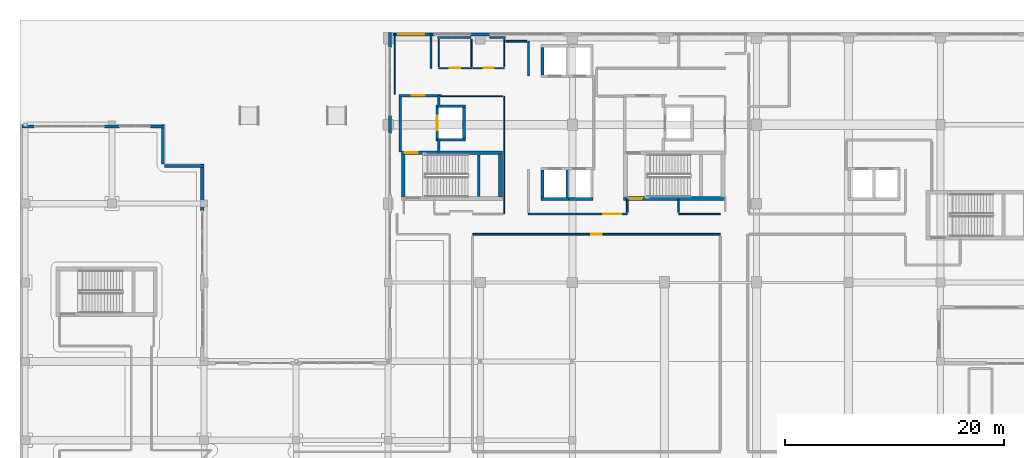
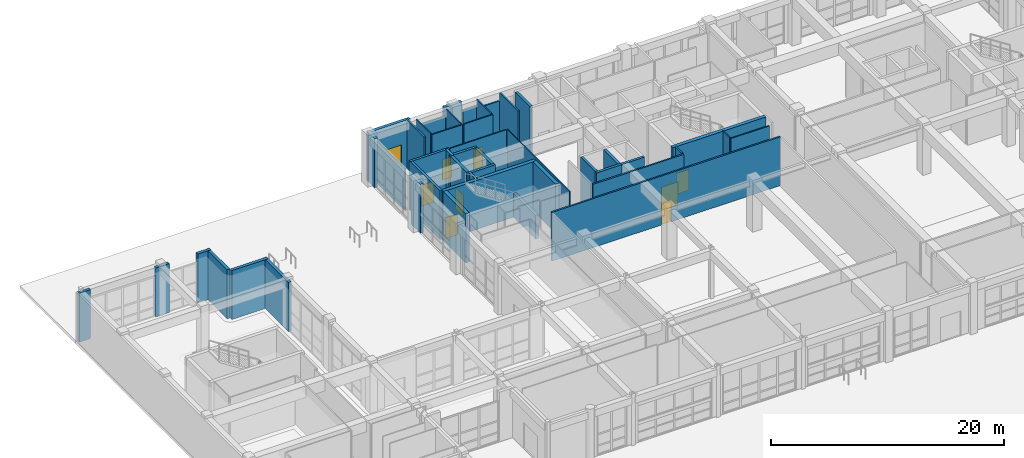
# One storey, part 131 of 148: 46 walls, 9 doors, 9 openings.
"""IFC4 building model written with IfcOpenShell, lengths in metres."""

from ifc_helpers import new_model, si_unit, direction, frame, frame_2d, origin, place, context, subcontext, project, spatial, rectangle, extrude, material, layer, layer_set, type_object, element, fill, save


model = new_model("IFC4")

# Units and contexts
model_context = context("Model", 3, precision=1e-05, world=origin(), true_north=direction((0.0, 1.0)))
body_context = subcontext(model_context, "Body", "Model", "MODEL_VIEW")
ifc_project = project(units=[si_unit("LENGTHUNIT", "METRE"), si_unit("AREAUNIT", "SQUARE_METRE"), si_unit("VOLUMEUNIT", "CUBIC_METRE"), si_unit("PLANEANGLEUNIT", "RADIAN"), si_unit("MASSUNIT", "GRAM", prefix="KILO")], contexts=[model_context])

# Site, building, storey
site_placement = place(None, origin())
site = spatial("IfcSite", under=ifc_project, at=site_placement, CompositionType="ELEMENT")
building_placement = place(site_placement, origin())
building = spatial("IfcBuilding", under=site, at=building_placement, Name="Quendrovan Civic Courthouse", CompositionType="ELEMENT")
storey_placement = place(building_placement, origin())
storey = spatial("IfcBuildingStorey", under=building, at=storey_placement, Name="L01", CompositionType="ELEMENT", Elevation=0.0)

# Wall, opening, door
ifc_material_1 = material(Name="Fire-rated gypsum stud partition")
ifc_layer_1 = layer(ifc_material_1, 0.159912109375, Name="Fire-rated gypsum stud partition")
ifc_layer_set_1 = layer_set([ifc_layer_1], Name="Fire-rated gypsum stud partition")
wall_type_1 = type_object("IfcWallType", Name="WL-COR-160", PredefinedType="PARTITIONING", material=ifc_layer_set_1)
wall_1_placement = place(storey_placement, frame((41.300048828125, 92.0, 0.0), z_axis=(0.0, 0.0, 1.0), x_axis=(1.0, 0.0, 0.0)))
wall_1 = element("IfcWall", 1, at=wall_1_placement, inside=storey, type_object=wall_type_1, Name="L01 Public Cafe Partition 0163", PredefinedType="PARTITIONING", context=body_context, shape_type="SweptSolid", body=[
    extrude(rectangle(XDim=22.599853515625, YDim=0.159912109375, at=frame_2d((11.2998046875, 0.0))), origin(), (0.0, 0.0, 1.0), 5.1201171875),
])
opening_1_placement = place(wall_1_placement, frame((10.820068359375, 0.0, 0.0)))
opening_1 = element("IfcOpeningElement", 2, at=opening_1_placement, cuts=wall_1, Name="Opening D-L01-035", PredefinedType="OPENING", context=body_context, shape_type="SweptSolid", body=[
    extrude(rectangle(XDim=0.9599609375, YDim=2.139892578125, at=frame_2d((0.47998046875, 1.06982421875))), frame((0.0, 0.08984375, 0.0), z_axis=(0.0, -1.0, 0.0), x_axis=(1.0, 0.0, 0.0)), (0.0, 0.0, 1.0), 0.179931640625),
])
ifc_material_2 = material(Name="Moisture-resistant laminate timber door", Category="wood")
door_type_1 = type_object("IfcDoorType", Name="DR-WC-ACC-960", OperationType="NOTDEFINED", PredefinedType="DOOR", material=ifc_material_2)
door_1_placement = place(opening_1_placement, origin())
door_1 = element("IfcDoor", 3, at=door_1_placement, inside=storey, type_object=door_type_1, Name="L01 Public Cafe Door D-L01-035", OperationType="SINGLE_SWING_RIGHT", OverallHeight=2.139892578125, OverallWidth=0.9599609375, PredefinedType="DOOR", context=body_context, shape_type="SweptSolid", body=[
    extrude(rectangle(XDim=0.9599609375, YDim=2.139892578125, at=frame_2d((0.47998046875, 1.06982421875))), frame((0.0, 0.02490234375, 0.0), z_axis=(0.0, -1.0, 0.0), x_axis=(1.0, 0.0, 0.0)), (0.0, 0.0, 1.0), 0.050048828125),
])
fill(opening_1, door_1)

wall_2_placement = place(storey_placement, frame((55.39990234375, 93.85009765625, 0.0), z_axis=(0.0, 0.0, 1.0), x_axis=(-1.0, 0.0, 0.0)))
wall_2 = element("IfcWall", 4, at=wall_2_placement, inside=storey, type_object=wall_type_1, Name="L01 Criminal Case Registry Partition 0198", PredefinedType="PARTITIONING", context=body_context, shape_type="SweptSolid", body=[
    extrude(rectangle(XDim=9.0, YDim=0.159912109375, at=frame_2d((4.5, 0.0))), origin(), (0.0, 0.0, 1.0), 5.1201171875),
])
opening_2_placement = place(wall_2_placement, frame((0.530029296875, 0.0, 0.0)))
opening_2 = element("IfcOpeningElement", 5, at=opening_2_placement, cuts=wall_2, Name="Opening D-L01-038", PredefinedType="OPENING", context=body_context, shape_type="SweptSolid", body=[
    extrude(rectangle(XDim=1.639892578125, YDim=2.419921875, at=frame_2d((0.81982421875, 1.2099609375))), frame((0.0, 0.08984375, 0.0), z_axis=(0.0, -1.0, 0.0), x_axis=(1.0, 0.0, 0.0)), (0.0, 0.0, 1.0), 0.179931640625),
])
ifc_material_3 = material(Name="Bronze-anodised aluminium glazed door", Category="aluminium")
door_type_2 = type_object("IfcDoorType", Name="DR-REG-1640", OperationType="NOTDEFINED", PredefinedType="DOOR", material=ifc_material_3)
door_2_placement = place(opening_2_placement, origin())
door_2 = element("IfcDoor", 6, at=door_2_placement, inside=storey, type_object=door_type_2, Name="L01 Criminal Case Registry Door D-L01-038", OperationType="SINGLE_SWING_LEFT", OverallHeight=2.419921875, OverallWidth=1.639892578125, PredefinedType="DOOR", context=body_context, shape_type="SweptSolid", body=[
    extrude(rectangle(XDim=1.639892578125, YDim=2.419921875, at=frame_2d((0.81982421875, 1.2099609375))), frame((0.0, 0.02490234375, 0.0), z_axis=(0.0, -1.0, 0.0), x_axis=(1.0, 0.0, 0.0)), (0.0, 0.0, 1.0), 0.050048828125),
])
fill(opening_2, door_2)

# Walls
wall_3_placement = place(storey_placement, frame((44.300048828125, 109.949951171875, 0.0), z_axis=(0.0, 0.0, 1.0), x_axis=(-1.0, 0.0, 0.0)))
element("IfcWall", 7, at=wall_3_placement, inside=storey, type_object=wall_type_1, Name="L01 Criminal Case Registry Partition 0211", PredefinedType="PARTITIONING", context=body_context, shape_type="SweptSolid", body=[
    extrude(rectangle(XDim=1.425048828125, YDim=0.159912109375, at=frame_2d((0.71240234375, 0.0))), origin(), (0.0, 0.0, 1.0), 4.360107421875),
])
wall_4_placement = place(storey_placement, frame((41.125, 109.949951171875, 0.0), z_axis=(0.0, 0.0, 1.0), x_axis=(-1.0, 0.0, 0.0)))
element("IfcWall", 8, at=wall_4_placement, inside=storey, type_object=wall_type_1, Name="L01 Criminal Case Registry Partition 0212", PredefinedType="PARTITIONING", context=body_context, shape_type="SweptSolid", body=[
    extrude(rectangle(XDim=3.02490234375, YDim=0.159912109375, at=frame_2d((1.512451171875, 0.0))), origin(), (0.0, 0.0, 1.0), 4.360107421875),
])
wall_5_placement = place(storey_placement, frame((37.5, 107.14990234375, 0.0), z_axis=(0.0, 0.0, 1.0), x_axis=(0.0, 1.0, 0.0)))
element("IfcWall", 9, at=wall_5_placement, inside=storey, type_object=wall_type_1, Name="L01 Criminal Case Registry Partition 0248", PredefinedType="PARTITIONING", context=body_context, shape_type="SweptSolid", body=[
    extrude(rectangle(XDim=3.190185546875, YDim=0.159912109375, at=frame_2d((1.59521484375, 0.0))), origin(), (0.0, 0.0, 1.0), 5.1201171875),
])
wall_6_placement = place(storey_placement, frame((46.39990234375, 106.449951171875, 0.0), z_axis=(0.0, 0.0, 1.0), x_axis=(0.0, 1.0, 0.0)))
element("IfcWall", 10, at=wall_6_placement, inside=storey, type_object=wall_type_1, Name="L01 Criminal Case Registry Partition 0250", PredefinedType="PARTITIONING", context=body_context, shape_type="SweptSolid", body=[
    extrude(rectangle(XDim=3.150146484375, YDim=0.159912109375, at=frame_2d((1.5751953125, 0.0))), origin(), (0.0, 0.0, 1.0), 5.1201171875),
])
wall_7_placement = place(storey_placement, frame((46.239990234375, 109.60009765625, 0.0), z_axis=(0.0, 0.0, 1.0), x_axis=(-1.0, 0.0, 0.0)))
element("IfcWall", 11, at=wall_7_placement, inside=storey, type_object=wall_type_1, Name="L01 Criminal Case Registry Partition 0270", PredefinedType="PARTITIONING", context=body_context, shape_type="SweptSolid", body=[
    extrude(rectangle(XDim=1.905029296875, YDim=0.159912109375, at=frame_2d((0.95263671875, 0.0))), origin(), (0.0, 0.0, 1.0), 4.360107421875),
])
wall_8_placement = place(storey_placement, frame((55.39990234375, 95.179931640625, 0.0), z_axis=(0.0, 0.0, 1.0), x_axis=(0.0, -1.0, 0.0)))
element("IfcWall", 12, at=wall_8_placement, inside=storey, type_object=wall_type_1, Name="L01 Criminal Case Registry Partition 0287", PredefinedType="PARTITIONING", context=body_context, shape_type="SweptSolid", body=[
    extrude(rectangle(XDim=1.169921875, YDim=0.159912109375, at=frame_2d((0.5849609375, 0.0))), origin(), (0.0, 0.0, 1.0), 5.1201171875),
])

# Wall, opening, door
ifc_material_4 = material(Name="Concrete C45/55", Category="concrete")
ifc_layer_2 = layer(ifc_material_4, 0.35009765625, Name="Concrete C45/55")
ifc_layer_set_2 = layer_set([ifc_layer_2], Name="Concrete C45/55")
wall_type_2 = type_object("IfcWallType", Name="WL-CORE-350", PredefinedType="SHEAR", material=ifc_layer_set_2)
wall_9_placement = place(storey_placement, frame((44.010009765625, 99.43505859375, 0.0), z_axis=(0.0, 0.0, 1.0), x_axis=(-1.0, 0.0, 0.0)))
wall_9 = element("IfcWall", 13, at=wall_9_placement, inside=storey, type_object=wall_type_2, Name="L01 Core Shear Wall ST1-N", PredefinedType="SHEAR", context=body_context, shape_type="SweptSolid", body=[
    extrude(rectangle(XDim=9.219970703125, YDim=0.35009765625, at=frame_2d((4.60986328125, 0.0))), origin(), (0.0, 0.0, 1.0), 5.1201171875),
])
opening_3_placement = place(wall_9_placement, frame((7.719970703125, 0.0, 0.0)))
opening_3 = element("IfcOpeningElement", 14, at=opening_3_placement, cuts=wall_9, Name="Opening DFF-ST1-L01", PredefinedType="OPENING", context=body_context, shape_type="SweptSolid", body=[
    extrude(rectangle(XDim=1.199951171875, YDim=2.199951171875, at=frame_2d((0.60009765625, 1.10009765625))), frame((0.0, 0.18505859375, 0.0), z_axis=(0.0, -1.0, 0.0), x_axis=(1.0, 0.0, 0.0)), (0.0, 0.0, 1.0), 0.3701171875),
])
ifc_material_5 = material(Name="Painted galvanized hollow-metal steel", Category="steel")
door_type_3 = type_object("IfcDoorType", Name="DR-FFLOB-1200", OperationType="NOTDEFINED", PredefinedType="DOOR", material=ifc_material_5)
door_3_placement = place(opening_3_placement, origin())
door_3 = element("IfcDoor", 15, at=door_3_placement, inside=storey, type_object=door_type_3, Name="L01 Firefighting Lobby FL1 Direct Stair ST1 Door", OperationType="SINGLE_SWING_RIGHT", OverallHeight=2.199951171875, OverallWidth=1.199951171875, PredefinedType="DOOR", context=body_context, shape_type="SweptSolid", body=[
    extrude(rectangle(XDim=1.199951171875, YDim=2.199951171875, at=frame_2d((0.60009765625, 1.10009765625))), frame((0.0, 0.02490234375, 0.0), z_axis=(0.0, -1.0, 0.0), x_axis=(1.0, 0.0, 0.0)), (0.0, 0.0, 1.0), 0.050048828125),
])
fill(opening_3, door_3)

# Walls
for number, where, z_axis, x_axis, name in (
    (16, (34.965087890625, 95.39990234375, 0.0), (0.0, 0.0, 1.0), (0.0, 1.0, 0.0), "L01 Core Shear Wall ST1-W"),
    (17, (43.8349609375, 99.300048828125, 0.0), (0.0, 0.0, 1.0), (0.0, -1.0, 0.0), "L01 Core Shear Wall ST1-E"),
):
    element("IfcWall", number, at=place(storey_placement, frame(where, z_axis=z_axis, x_axis=x_axis)), inside=storey, type_object=wall_type_2, Name=name, PredefinedType="SHEAR", context=body_context, shape_type="SweptSolid", body=[
        extrude(rectangle(XDim=3.900146484375, YDim=0.35009765625, at=frame_2d((1.9501953125, 0.0))), origin(), (0.0, 0.0, 1.0), 5.1201171875),
    ])

# Wall, opening, door
wall_10_placement = place(storey_placement, frame((55.090087890625, 95.264892578125, 0.0), z_axis=(0.0, 0.0, 1.0), x_axis=(1.0, 0.0, 0.0)))
wall_10 = element("IfcWall", 18, at=wall_10_placement, inside=storey, type_object=wall_type_2, Name="L01 Core Shear Wall ST2-S", PredefinedType="SHEAR", context=body_context, shape_type="SweptSolid", body=[
    extrude(rectangle(XDim=9.219970703125, YDim=0.35009765625, at=frame_2d((4.60986328125, 0.0))), origin(), (0.0, 0.0, 1.0), 5.1201171875),
])
opening_4_placement = place(wall_10_placement, frame((0.449951171875, 0.0, 0.0)))
opening_4 = element("IfcOpeningElement", 19, at=opening_4_placement, cuts=wall_10, Name="Opening DS-ST2-L01", PredefinedType="OPENING", context=body_context, shape_type="SweptSolid", body=[
    extrude(rectangle(XDim=1.25, YDim=2.199951171875, at=frame_2d((0.625, 1.10009765625))), frame((0.0, 0.18505859375, 0.0), z_axis=(0.0, -1.0, 0.0), x_axis=(1.0, 0.0, 0.0)), (0.0, 0.0, 1.0), 0.3701171875),
])
door_type_4 = type_object("IfcDoorType", Name="DR-STAIR-1250", OperationType="NOTDEFINED", PredefinedType="DOOR", material=ifc_material_5)
door_4_placement = place(opening_4_placement, origin())
door_4 = element("IfcDoor", 20, at=door_4_placement, inside=storey, type_object=door_type_4, Name="L01 Exit Stair ST2 Fire Door", OperationType="SINGLE_SWING_RIGHT", OverallHeight=2.199951171875, OverallWidth=1.25, PredefinedType="DOOR", context=body_context, shape_type="SweptSolid", body=[
    extrude(rectangle(XDim=1.25, YDim=2.199951171875, at=frame_2d((0.625, 1.10009765625))), frame((0.0, 0.02490234375, 0.0), z_axis=(0.0, -1.0, 0.0), x_axis=(1.0, 0.0, 0.0)), (0.0, 0.0, 1.0), 0.050048828125),
])
fill(opening_4, door_4)

# Walls
ifc_material_6 = material(Name="Precast concrete C45/55", Category="concrete")
ifc_layer_3 = layer(ifc_material_6, 0.2900390625, Name="Precast concrete C45/55")
ifc_layer_set_3 = layer_set([ifc_layer_3], Name="Precast concrete C45/55")
wall_type_3 = type_object("IfcWallType", Name="WL-EXT-PC290", PredefinedType="SOLIDWALL", material=ifc_layer_set_3)
wall_11_placement = place(storey_placement, frame((0.175048828125, 101.8349609375, 0.0), z_axis=(0.0, 0.0, 1.0), x_axis=(1.0, 0.0, 0.0)))
element("IfcWall", 21, at=wall_11_placement, inside=storey, type_object=wall_type_3, Name="L01 Exterior Pier Wall 084", PredefinedType="SOLIDWALL", context=body_context, shape_type="SweptSolid", body=[
    extrude(rectangle(XDim=1.125, YDim=0.2900390625, at=frame_2d((0.5625, 0.0))), origin(), (0.0, 0.0, 1.0), 5.1201171875),
])
wall_12_placement = place(storey_placement, frame((7.72509765625, 101.8349609375, 0.0), z_axis=(0.0, 0.0, 1.0), x_axis=(1.0, 0.0, 0.0)))
element("IfcWall", 22, at=wall_12_placement, inside=storey, type_object=wall_type_3, Name="L01 Exterior Pier Wall 085", PredefinedType="SOLIDWALL", context=body_context, shape_type="SweptSolid", body=[
    extrude(rectangle(XDim=1.349853515625, YDim=0.2900390625, at=frame_2d((0.6748046875, 0.0))), origin(), (0.0, 0.0, 1.0), 5.1201171875),
])
wall_13_placement = place(storey_placement, frame((11.89990234375, 101.8349609375, 0.0), z_axis=(0.0, 0.0, 1.0), x_axis=(1.0, 0.0, 0.0)))
element("IfcWall", 23, at=wall_13_placement, inside=storey, type_object=wall_type_3, Name="L01 Exterior Pier Wall 086", PredefinedType="SOLIDWALL", context=body_context, shape_type="SweptSolid", body=[
    extrude(rectangle(XDim=1.300048828125, YDim=0.2900390625, at=frame_2d((0.64990234375, 0.0))), origin(), (0.0, 0.0, 1.0), 5.1201171875),
])
for number, where, z_axis, x_axis, name in (
    (24, (13.034912109375, 102.0, 0.0), (0.0, 0.0, 1.0), (0.0, -1.0, 0.0), "L01 Exterior Civic Portal Wall 087"),
    (25, (13.199951171875, 98.235107421875, 0.0), (0.0, 0.0, 1.0), (1.0, 0.0, 0.0), "L01 Exterior Civic Portal Wall 088"),
):
    element("IfcWall", number, at=place(storey_placement, frame(where, z_axis=z_axis, x_axis=x_axis)), inside=storey, type_object=wall_type_3, Name=name, PredefinedType="SOLIDWALL", context=body_context, shape_type="SweptSolid", body=[
        extrude(rectangle(XDim=3.60009765625, YDim=0.2900390625, at=frame_2d((1.800048828125, 0.0))), origin(), (0.0, 0.0, 1.0), 5.1201171875),
    ])
wall_14_placement = place(storey_placement, frame((16.635009765625, 98.39990234375, 0.0), z_axis=(0.0, 0.0, 1.0), x_axis=(0.0, -1.0, 0.0)))
element("IfcWall", 26, at=wall_14_placement, inside=storey, type_object=wall_type_3, Name="L01 Exterior Pier Wall 089", PredefinedType="SOLIDWALL", context=body_context, shape_type="SweptSolid", body=[
    extrude(rectangle(XDim=4.27490234375, YDim=0.2900390625, at=frame_2d((2.137451171875, 0.0))), origin(), (0.0, 0.0, 1.0), 5.1201171875),
])
wall_15_placement = place(storey_placement, frame((33.764892578125, 101.175048828125, 0.0), z_axis=(0.0, 0.0, 1.0), x_axis=(0.0, 1.0, 0.0)))
element("IfcWall", 27, at=wall_15_placement, inside=storey, type_object=wall_type_3, Name="L01 Exterior Pier Wall 097", PredefinedType="SOLIDWALL", context=body_context, shape_type="SweptSolid", body=[
    extrude(rectangle(XDim=1.64990234375, YDim=0.2900390625, at=frame_2d((0.824951171875, 0.0))), origin(), (0.0, 0.0, 1.0), 5.1201171875),
])
wall_16_placement = place(storey_placement, frame((33.764892578125, 109.02490234375, 0.0), z_axis=(0.0, 0.0, 1.0), x_axis=(0.0, 1.0, 0.0)))
element("IfcWall", 28, at=wall_16_placement, inside=storey, type_object=wall_type_3, Name="L01 Exterior Pier Wall 098", PredefinedType="SOLIDWALL", context=body_context, shape_type="SweptSolid", body=[
    extrude(rectangle(XDim=1.375, YDim=0.2900390625, at=frame_2d((0.6875, 0.0))), origin(), (0.0, 0.0, 1.0), 5.1201171875),
])

# Wall, opening, door
wall_17_placement = place(storey_placement, frame((33.60009765625, 110.235107421875, 0.0), z_axis=(0.0, 0.0, 1.0), x_axis=(1.0, 0.0, 0.0)))
wall_17 = element("IfcWall", 29, at=wall_17_placement, inside=storey, type_object=wall_type_3, Name="L01 Exterior Pier Wall 099", PredefinedType="SOLIDWALL", context=body_context, shape_type="SweptSolid", body=[
    extrude(rectangle(XDim=4.199951171875, YDim=0.2900390625, at=frame_2d((2.10009765625, 0.0))), origin(), (0.0, 0.0, 1.0), 5.1201171875),
])
opening_5_placement = place(wall_17_placement, frame((0.89990234375, 0.0, 0.0)))
opening_5 = element("IfcOpeningElement", 30, at=opening_5_placement, cuts=wall_17, Name="Opening DE-14", PredefinedType="OPENING", context=body_context, shape_type="SweptSolid", body=[
    extrude(rectangle(XDim=2.39990234375, YDim=2.699951171875, at=frame_2d((1.199951171875, 1.35009765625))), frame((0.0, 0.155029296875, 0.0), z_axis=(0.0, -1.0, 0.0), x_axis=(1.0, 0.0, 0.0)), (0.0, 0.0, 1.0), 0.31005859375),
])
ifc_material_7 = material(Name="Bronze anodised aluminium and low-E glass", Category="aluminium")
door_type_5 = type_object("IfcDoorType", Name="DR-EXT-MAIN-2400", OperationType="NOTDEFINED", PredefinedType="DOOR", material=ifc_material_7)
door_5_placement = place(opening_5_placement, origin())
door_5 = element("IfcDoor", 31, at=door_5_placement, inside=storey, type_object=door_type_5, Name="L01 Courtyard Civic Exit Door DE-14", OperationType="SINGLE_SWING_LEFT", OverallHeight=2.699951171875, OverallWidth=2.39990234375, PredefinedType="DOOR", context=body_context, shape_type="SweptSolid", body=[
    extrude(rectangle(XDim=2.39990234375, YDim=2.699951171875, at=frame_2d((1.199951171875, 1.35009765625))), frame((0.0, 0.02490234375, 0.0), z_axis=(0.0, -1.0, 0.0), x_axis=(1.0, 0.0, 0.0)), (0.0, 0.0, 1.0), 0.050048828125),
])
fill(opening_5, door_5)

# Wall
wall_18_placement = place(storey_placement, frame((41.125, 110.235107421875, 0.0), z_axis=(0.0, 0.0, 1.0), x_axis=(1.0, 0.0, 0.0)))
element("IfcWall", 32, at=wall_18_placement, inside=storey, type_object=wall_type_3, Name="L01 Exterior Pier Wall 100", PredefinedType="SOLIDWALL", context=body_context, shape_type="SweptSolid", body=[
    extrude(rectangle(XDim=1.75, YDim=0.2900390625, at=frame_2d((0.875, 0.0))), origin(), (0.0, 0.0, 1.0), 5.1201171875),
])

# Wall, opening, door
ifc_material_8 = material(Name="Concrete C40/50", Category="concrete")
ifc_layer_4 = layer(ifc_material_8, 0.22998046875, Name="Concrete C40/50")
ifc_layer_set_4 = layer_set([ifc_layer_4], Name="Concrete C40/50")
wall_type_4 = type_object("IfcWallType", Name="WL-FFLOB-230", PredefinedType="PARTITIONING", material=ifc_layer_set_4)
wall_19_placement = place(storey_placement, frame((34.590087890625, 104.64990234375, 0.0), z_axis=(0.0, 0.0, 1.0), x_axis=(1.0, 0.0, 0.0)))
wall_19 = element("IfcWall", 33, at=wall_19_placement, inside=storey, type_object=wall_type_4, Name="L01 Firefighting Lift Lobby FL1 Wall N", PredefinedType="PARTITIONING", context=body_context, shape_type="SweptSolid", body=[
    extrude(rectangle(XDim=3.889892578125, YDim=0.22998046875, at=frame_2d((1.94482421875, 0.0))), origin(), (0.0, 0.0, 1.0), 5.1201171875),
])
opening_6_placement = place(wall_19_placement, frame((1.14990234375, 0.0, 0.0)))
opening_6 = element("IfcOpeningElement", 34, at=opening_6_placement, cuts=wall_19, Name="Opening DF-FL1-L01N", PredefinedType="OPENING", context=body_context, shape_type="SweptSolid", body=[
    extrude(rectangle(XDim=1.199951171875, YDim=2.199951171875, at=frame_2d((0.60009765625, 1.10009765625))), frame((0.0, 0.125, 0.0), z_axis=(0.0, -1.0, 0.0), x_axis=(1.0, 0.0, 0.0)), (0.0, 0.0, 1.0), 0.25),
])
door_6_placement = place(opening_6_placement, origin())
door_6 = element("IfcDoor", 35, at=door_6_placement, inside=storey, type_object=door_type_3, Name="L01 Firefighting Lobby FL1 Fire Door N", OperationType="SINGLE_SWING_LEFT", OverallHeight=2.199951171875, OverallWidth=1.199951171875, PredefinedType="DOOR", context=body_context, shape_type="SweptSolid", body=[
    extrude(rectangle(XDim=1.199951171875, YDim=2.199951171875, at=frame_2d((0.60009765625, 1.10009765625))), frame((0.0, 0.02490234375, 0.0), z_axis=(0.0, -1.0, 0.0), x_axis=(1.0, 0.0, 0.0)), (0.0, 0.0, 1.0), 0.050048828125),
])
fill(opening_6, door_6)

# Walls
wall_20_placement = place(storey_placement, frame((34.699951171875, 99.5, 0.0), z_axis=(0.0, 0.0, 1.0), x_axis=(0.0, 1.0, 0.0)))
element("IfcWall", 36, at=wall_20_placement, inside=storey, type_object=wall_type_4, Name="L01 Firefighting Lift Lobby FL1 Wall W", PredefinedType="PARTITIONING", context=body_context, shape_type="SweptSolid", body=[
    extrude(rectangle(XDim=5.260009765625, YDim=0.22998046875, at=frame_2d((2.6298828125, 0.0))), origin(), (0.0, 0.0, 1.0), 5.1201171875),
])
wall_21_placement = place(storey_placement, frame((38.199951171875, 104.64990234375, 0.0), z_axis=(0.0, 0.0, 1.0), x_axis=(0.0, -1.0, 0.0)))
element("IfcWall", 37, at=wall_21_placement, inside=storey, type_object=wall_type_4, Name="L01 Firefighting Lift Lobby FL1 Wall EN", PredefinedType="PARTITIONING", context=body_context, shape_type="SweptSolid", body=[
    extrude(rectangle(XDim=1.099853515625, YDim=0.22998046875, at=frame_2d((0.5498046875, 0.0))), origin(), (0.0, 0.0, 1.0), 5.1201171875),
])
wall_22_placement = place(storey_placement, frame((38.199951171875, 100.75, 0.0), z_axis=(0.0, 0.0, 1.0), x_axis=(0.0, -1.0, 0.0)))
element("IfcWall", 38, at=wall_22_placement, inside=storey, type_object=wall_type_4, Name="L01 Firefighting Lift Lobby FL1 Wall ES", PredefinedType="PARTITIONING", context=body_context, shape_type="SweptSolid", body=[
    extrude(rectangle(XDim=1.25, YDim=0.22998046875, at=frame_2d((0.625, 0.0))), origin(), (0.0, 0.0, 1.0), 5.1201171875),
])
ifc_material_9 = material(Name="Lightweight gypsum partition")
ifc_layer_5 = layer(ifc_material_9, 0.10009765625, Name="Lightweight gypsum partition")
ifc_layer_set_5 = layer_set([ifc_layer_5], Name="Lightweight gypsum partition")
wall_type_5 = type_object("IfcWallType", Name="WL-INT-100", PredefinedType="PARTITIONING", material=ifc_layer_set_5)
wall_23_placement = place(storey_placement, frame((44.199951171875, 104.60009765625, 0.0), z_axis=(0.0, 0.0, 1.0), x_axis=(0.0, -1.0, 0.0)))
element("IfcWall", 39, at=wall_23_placement, inside=storey, type_object=wall_type_5, Name="L01 Public Hall Partition 0189", PredefinedType="PARTITIONING", context=body_context, shape_type="SweptSolid", body=[
    extrude(rectangle(XDim=10.75, YDim=0.10009765625, at=frame_2d((5.375, 0.0))), origin(), (0.0, 0.0, 1.0), 5.1201171875),
])
wall_24_placement = place(storey_placement, frame((38.47998046875, 104.60009765625, 0.0), z_axis=(0.0, 0.0, 1.0), x_axis=(1.0, 0.0, 0.0)))
element("IfcWall", 40, at=wall_24_placement, inside=storey, type_object=wall_type_5, Name="L01 Public Hall Partition 0214", PredefinedType="PARTITIONING", context=body_context, shape_type="SweptSolid", body=[
    extrude(rectangle(XDim=5.590087890625, YDim=0.10009765625, at=frame_2d((2.794921875, 0.0))), origin(), (0.0, 0.0, 1.0), 5.1201171875),
])
wall_25_placement = place(storey_placement, frame((34.199951171875, 110.340087890625, 0.0), z_axis=(0.0, 0.0, 1.0), x_axis=(0.0, -1.0, 0.0)))
element("IfcWall", 41, at=wall_25_placement, inside=storey, type_object=wall_type_5, Name="L01 Public Hall Partition 0217", PredefinedType="PARTITIONING", context=body_context, shape_type="SweptSolid", body=[
    extrude(rectangle(XDim=5.570068359375, YDim=0.10009765625, at=frame_2d((2.78515625, 0.0))), origin(), (0.0, 0.0, 1.0), 4.360107421875),
])
ifc_material_10 = material(Name="Acoustic glazed-head stud partition")
ifc_layer_6 = layer(ifc_material_10, 0.1201171875, Name="Acoustic glazed-head stud partition")
ifc_layer_set_6 = layer_set([ifc_layer_6], Name="Acoustic glazed-head stud partition")
wall_type_6 = type_object("IfcWallType", Name="WL-LIB-120", PredefinedType="PARTITIONING", material=ifc_layer_set_6)
wall_26_placement = place(storey_placement, frame((63.89990234375, 93.85009765625, 0.0), z_axis=(0.0, 0.0, 1.0), x_axis=(-1.0, 0.0, 0.0)))
element("IfcWall", 42, at=wall_26_placement, inside=storey, type_object=wall_type_6, Name="L01 Law Library Reading Room Partition 0241", PredefinedType="PARTITIONING", context=body_context, shape_type="SweptSolid", body=[
    extrude(rectangle(XDim=3.7998046875, YDim=0.1201171875, at=frame_2d((1.89990234375, 0.0))), origin(), (0.0, 0.0, 1.0), 5.1201171875),
])
wall_27_placement = place(storey_placement, frame((60.10009765625, 93.989990234375, 0.0), z_axis=(0.0, 0.0, 1.0), x_axis=(0.0, 1.0, 0.0)))
element("IfcWall", 43, at=wall_27_placement, inside=storey, type_object=wall_type_6, Name="L01 Law Library Reading Room Partition 0288", PredefinedType="PARTITIONING", context=body_context, shape_type="SweptSolid", body=[
    extrude(rectangle(XDim=1.18994140625, YDim=0.1201171875, at=frame_2d((0.594970703125, 0.0))), origin(), (0.0, 0.0, 1.0), 5.1201171875),
])
ifc_layer_7 = layer(ifc_material_4, 0.25, Name="Concrete C45/55")
ifc_layer_set_7 = layer_set([ifc_layer_7], Name="Concrete C45/55")
wall_type_7 = type_object("IfcWallType", Name="WL-SHAFT-250", PredefinedType="SHEAR", material=ifc_layer_set_7)
wall_28_placement = place(storey_placement, frame((41.85009765625, 95.449951171875, 0.0), z_axis=(0.0, 0.0, 1.0), x_axis=(0.0, 1.0, 0.0)))
element("IfcWall", 44, at=wall_28_placement, inside=storey, type_object=wall_type_7, Name="L01 Stair ST1 Mid-Landing Bearing Wall", PredefinedType="SHEAR", context=body_context, shape_type="SweptSolid", body=[
    extrude(rectangle(XDim=3.800048828125, YDim=0.25, at=frame_2d((1.89990234375, 0.0))), origin(), (0.0, 0.0, 1.0), 2.52001953125),
])
for number, where, z_axis, x_axis, name in (
    (45, (47.550048828125, 95.22509765625, 0.0), (0.0, 0.0, 1.0), (1.0, 0.0, 0.0), "L01 Lift Hoistway Wall PL3 -Y"),
    (46, (47.675048828125, 95.35009765625, 0.0), (0.0, 0.0, 1.0), (0.0, 1.0, 0.0), "L01 Lift Hoistway Wall PL3 -X"),
    (47, (49.925048828125, 97.85009765625, 0.0), (0.0, 0.0, 1.0), (0.0, -1.0, 0.0), "L01 Lift Hoistway Wall PL3 +X"),
    (48, (49.800048828125, 95.22509765625, 0.0), (0.0, 0.0, 1.0), (1.0, 0.0, 0.0), "L01 Lift Hoistway Wall PL4 -Y"),
    (49, (47.675048828125, 106.550048828125, 0.0), (0.0, 0.0, 1.0), (0.0, 1.0, 0.0), "L01 Lift Hoistway Wall JL1 -X"),
):
    element("IfcWall", number, at=place(storey_placement, frame(where, z_axis=z_axis, x_axis=x_axis)), inside=storey, type_object=wall_type_7, Name=name, PredefinedType="SHEAR", context=body_context, shape_type="SweptSolid", body=[
        extrude(rectangle(XDim=2.5, YDim=0.25, at=frame_2d((1.25, 0.0))), origin(), (0.0, 0.0, 1.0), 5.1201171875),
    ])
for number, where, z_axis, x_axis, name in (
    (50, (37.949951171875, 100.625, 0.0), (0.0, 0.0, 1.0), (1.0, 0.0, 0.0), "L01 Lift Hoistway Wall FL1 -Y"),
    (51, (40.64990234375, 103.675048828125, 0.0), (0.0, 0.0, 1.0), (-1.0, 0.0, 0.0), "L01 Lift Hoistway Wall FL1 +Y"),
):
    element("IfcWall", number, at=place(storey_placement, frame(where, z_axis=z_axis, x_axis=x_axis)), inside=storey, type_object=wall_type_7, Name=name, PredefinedType="SHEAR", context=body_context, shape_type="SweptSolid", body=[
        extrude(rectangle(XDim=2.699951171875, YDim=0.25, at=frame_2d((1.35009765625, 0.0))), origin(), (0.0, 0.0, 1.0), 5.1201171875),
    ])

# Wall, opening, door
wall_29_placement = place(storey_placement, frame((38.074951171875, 100.75, 0.0), z_axis=(0.0, 0.0, 1.0), x_axis=(0.0, 1.0, 0.0)))
wall_29 = element("IfcWall", 52, at=wall_29_placement, inside=storey, type_object=wall_type_7, Name="L01 Lift Hoistway Wall FL1 -X", PredefinedType="SHEAR", context=body_context, shape_type="SweptSolid", body=[
    extrude(rectangle(XDim=2.800048828125, YDim=0.25, at=frame_2d((1.39990234375, 0.0))), origin(), (0.0, 0.0, 1.0), 5.1201171875),
])
opening_7_placement = place(wall_29_placement, frame((0.75, 0.0, 0.0)))
opening_7 = element("IfcOpeningElement", 53, at=opening_7_placement, cuts=wall_29, Name="Opening LD-FL1-L01", PredefinedType="OPENING", context=body_context, shape_type="SweptSolid", body=[
    extrude(rectangle(XDim=1.300048828125, YDim=2.25, at=frame_2d((0.64990234375, 1.125))), frame((0.0, 0.135009765625, 0.0), z_axis=(0.0, -1.0, 0.0), x_axis=(1.0, 0.0, 0.0)), (0.0, 0.0, 1.0), 0.27001953125),
])
ifc_material_11 = material(Name="Smoke-tight fire-service stainless steel", Category="steel")
door_type_6 = type_object("IfcDoorType", Name="DR-LIFT-LD-FL", OperationType="NOTDEFINED", PredefinedType="DOOR", material=ifc_material_11)
door_7_placement = place(opening_7_placement, origin())
door_7 = element("IfcDoor", 54, at=door_7_placement, inside=storey, type_object=door_type_6, Name="L01 Lift FL1 Sliding Landing Door", OperationType="SLIDING_TO_RIGHT", OverallHeight=2.25, OverallWidth=1.300048828125, PredefinedType="DOOR", context=body_context, shape_type="SweptSolid", body=[
    extrude(rectangle(XDim=1.300048828125, YDim=2.25, at=frame_2d((0.64990234375, 1.125))), frame((0.0, 0.02490234375, 0.0), z_axis=(0.0, -1.0, 0.0), x_axis=(1.0, 0.0, 0.0)), (0.0, 0.0, 1.0), 0.050048828125),
])
fill(opening_7, door_7)

# Wall
wall_30_placement = place(storey_placement, frame((40.52490234375, 103.550048828125, 0.0), z_axis=(0.0, 0.0, 1.0), x_axis=(0.0, -1.0, 0.0)))
element("IfcWall", 55, at=wall_30_placement, inside=storey, type_object=wall_type_7, Name="L01 Lift Hoistway Wall FL1 +X", PredefinedType="SHEAR", context=body_context, shape_type="SweptSolid", body=[
    extrude(rectangle(XDim=2.800048828125, YDim=0.25, at=frame_2d((1.39990234375, 0.0))), origin(), (0.0, 0.0, 1.0), 5.1201171875),
])

# Wall, opening, door
ifc_material_12 = material(Name="Moisture-resistant tile-backer partition")
ifc_layer_8 = layer(ifc_material_12, 0.110107421875, Name="Moisture-resistant tile-backer partition")
ifc_layer_set_8 = layer_set([ifc_layer_8], Name="Moisture-resistant tile-backer partition")
wall_type_8 = type_object("IfcWallType", Name="WL-WET-110", PredefinedType="PARTITIONING", material=ifc_layer_set_8)
wall_31_placement = place(storey_placement, frame((41.199951171875, 107.14990234375, 0.0), z_axis=(0.0, 0.0, 1.0), x_axis=(-1.0, 0.0, 0.0)))
wall_31 = element("IfcWall", 56, at=wall_31_placement, inside=storey, type_object=wall_type_8, Name="L01 Ground Accessible WC Partition 0251", PredefinedType="PARTITIONING", context=body_context, shape_type="SweptSolid", body=[
    extrude(rectangle(XDim=3.0, YDim=0.110107421875, at=frame_2d((1.5, 0.0))), origin(), (0.0, 0.0, 1.0), 5.1201171875),
])
opening_8_placement = place(wall_31_placement, frame((1.02001953125, 0.0, 0.0)))
opening_8 = element("IfcOpeningElement", 57, at=opening_8_placement, cuts=wall_31, Name="Opening D-L01-028", PredefinedType="OPENING", context=body_context, shape_type="SweptSolid", body=[
    extrude(rectangle(XDim=0.9599609375, YDim=2.139892578125, at=frame_2d((0.47998046875, 1.06982421875))), frame((0.0, 0.06494140625, 0.0), z_axis=(0.0, -1.0, 0.0), x_axis=(1.0, 0.0, 0.0)), (0.0, 0.0, 1.0), 0.130126953125),
])
door_8_placement = place(opening_8_placement, origin())
door_8 = element("IfcDoor", 58, at=door_8_placement, inside=storey, type_object=door_type_1, Name="L01 Ground Accessible WC Door D-L01-028", OperationType="SINGLE_SWING_LEFT", OverallHeight=2.139892578125, OverallWidth=0.9599609375, PredefinedType="DOOR", context=body_context, shape_type="SweptSolid", body=[
    extrude(rectangle(XDim=0.9599609375, YDim=2.139892578125, at=frame_2d((0.47998046875, 1.06982421875))), frame((0.0, 0.02490234375, 0.0), z_axis=(0.0, -1.0, 0.0), x_axis=(1.0, 0.0, 0.0)), (0.0, 0.0, 1.0), 0.050048828125),
])
fill(opening_8, door_8)

wall_32_placement = place(storey_placement, frame((44.199951171875, 107.14990234375, 0.0), z_axis=(0.0, 0.0, 1.0), x_axis=(-1.0, 0.0, 0.0)))
wall_32 = element("IfcWall", 59, at=wall_32_placement, inside=storey, type_object=wall_type_8, Name="L01 Ground Public Restroom Partition 0252", PredefinedType="PARTITIONING", context=body_context, shape_type="SweptSolid", body=[
    extrude(rectangle(XDim=2.864990234375, YDim=0.110107421875, at=frame_2d((1.4326171875, 0.0))), origin(), (0.0, 0.0, 1.0), 5.1201171875),
])
opening_9_placement = place(wall_32_placement, frame((0.972412109375, 0.0, 0.0)))
opening_9 = element("IfcOpeningElement", 60, at=opening_9_placement, cuts=wall_32, Name="Opening D-L01-029", PredefinedType="OPENING", context=body_context, shape_type="SweptSolid", body=[
    extrude(rectangle(XDim=0.919921875, YDim=2.1201171875, at=frame_2d((0.4599609375, 1.06005859375))), frame((0.0, 0.06494140625, 0.0), z_axis=(0.0, -1.0, 0.0), x_axis=(1.0, 0.0, 0.0)), (0.0, 0.0, 1.0), 0.130126953125),
])
door_type_7 = type_object("IfcDoorType", Name="DR-WC-STD-920", OperationType="NOTDEFINED", PredefinedType="DOOR", material=ifc_material_2)
door_9_placement = place(opening_9_placement, origin())
door_9 = element("IfcDoor", 61, at=door_9_placement, inside=storey, type_object=door_type_7, Name="L01 Ground Public Restroom Door D-L01-029", OperationType="SINGLE_SWING_RIGHT", OverallHeight=2.1201171875, OverallWidth=0.919921875, PredefinedType="DOOR", context=body_context, shape_type="SweptSolid", body=[
    extrude(rectangle(XDim=0.919921875, YDim=2.1201171875, at=frame_2d((0.4599609375, 1.06005859375))), frame((0.0, 0.02490234375, 0.0), z_axis=(0.0, -1.0, 0.0), x_axis=(1.0, 0.0, 0.0)), (0.0, 0.0, 1.0), 0.050048828125),
])
fill(opening_9, door_9)

# Walls
wall_33_placement = place(storey_placement, frame((41.199951171875, 109.80859375, 0.0), z_axis=(0.0, 0.0, 1.0), x_axis=(0.0, -1.0, 0.0)))
element("IfcWall", 62, at=wall_33_placement, inside=storey, type_object=wall_type_8, Name="L01 Ground Accessible WC Partition 0254", PredefinedType="PARTITIONING", context=body_context, shape_type="SweptSolid", body=[
    extrude(rectangle(XDim=2.523681640625, YDim=0.110107421875, at=frame_2d((1.26171875, 0.0))), origin(), (0.0, 0.0, 1.0), 5.1201171875),
])
for number, where, z_axis, x_axis, name in (
    (63, (38.199951171875, 107.284912109375, 0.0), (0.0, 0.0, 1.0), (0.0, 1.0, 0.0), "L01 Ground Accessible WC Partition 0255"),
    (64, (44.199951171875, 109.7900390625, 0.0), (0.0, 0.0, 1.0), (0.0, -1.0, 0.0), "L01 Ground Public Restroom Partition 0256"),
):
    element("IfcWall", number, at=place(storey_placement, frame(where, z_axis=z_axis, x_axis=x_axis)), inside=storey, type_object=wall_type_8, Name=name, PredefinedType="PARTITIONING", context=body_context, shape_type="SweptSolid", body=[
        extrude(rectangle(XDim=2.505126953125, YDim=0.110107421875, at=frame_2d((1.25244140625, 0.0))), origin(), (0.0, 0.0, 1.0), 5.1201171875),
    ])

save(model, "model.ifc")
